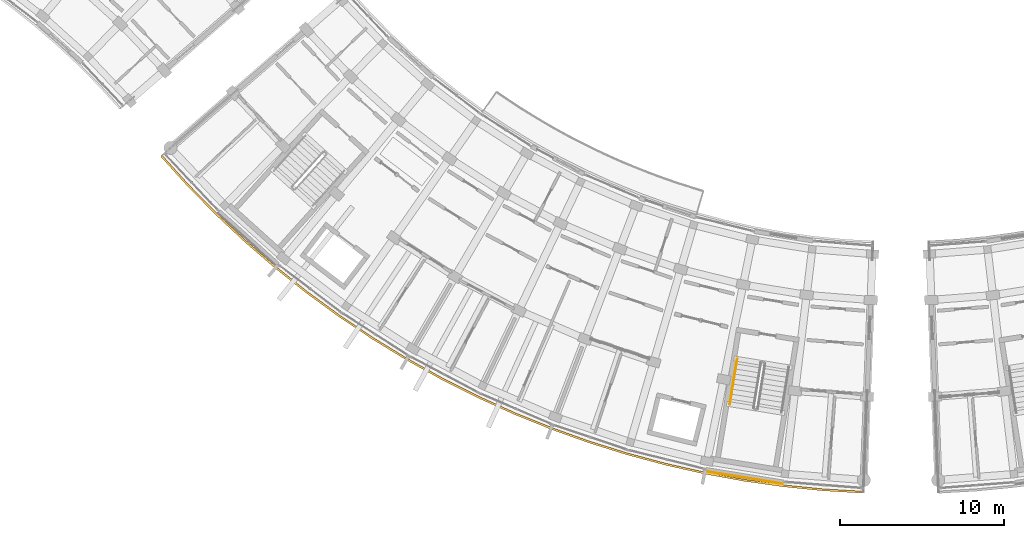
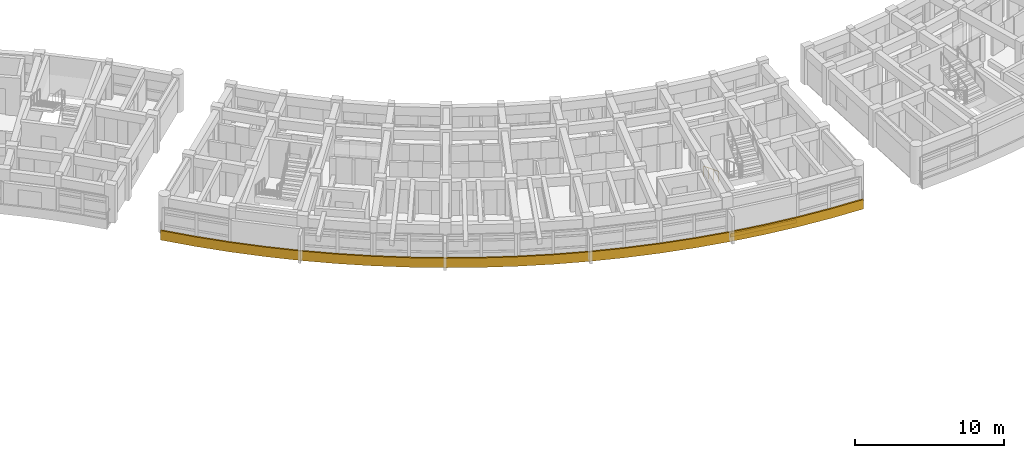
# One storey, part 48 of 56: 2 railings, 1 covering.
"""IFC4 building model written with IfcOpenShell, lengths in metres."""

from ifc_helpers import new_model, si_unit, direction, frame, origin, origin_2d, place, context, subcontext, project, spatial, polyline, rectangle, circle, outline, extrude, material, layer, layer_set, type_object, element, save


model = new_model("IFC4")

# Units and contexts
model_context = context("Model", 3, precision=1e-05, world=origin(), true_north=direction((0.0, 1.0)))
body_context = subcontext(model_context, "Body", "Model", "MODEL_VIEW")
ifc_project = project(units=[si_unit("LENGTHUNIT", "METRE"), si_unit("AREAUNIT", "SQUARE_METRE"), si_unit("VOLUMEUNIT", "CUBIC_METRE"), si_unit("PLANEANGLEUNIT", "RADIAN"), si_unit("MASSUNIT", "GRAM", prefix="KILO")], contexts=[model_context])

# Site, building, storey
site_placement = place(None, origin())
site = spatial("IfcSite", under=ifc_project, at=site_placement, CompositionType="ELEMENT")
building_placement = place(site_placement, origin())
building = spatial("IfcBuilding", under=site, at=building_placement, Name="Zimvara Arc Housing Community", CompositionType="ELEMENT")
storey_placement = place(building_placement, frame((0.0, 0.0, 11.199951171875)))
storey = spatial("IfcBuildingStorey", under=building, at=storey_placement, Name="L03", CompositionType="ELEMENT", Elevation=11.199951171875)

# Covering
ifc_material_1 = material(Name="Pale-Gold Anodised Aluminium Cladding", Category="aluminium")
ifc_layer = layer(ifc_material_1, 0.0400390625)
ifc_layer_set = layer_set([ifc_layer], Name="Pale-Gold Anodised Aluminium Cladding")
covering_type = type_object("IfcCoveringType", Name="CLD-GOLD-01", PredefinedType="CLADDING", material=ifc_layer_set)
covering_placement = place(storey_placement, frame((116.453369140625, 51.170654296875, 0.01025390625), z_axis=(0.0, 0.0, 1.0), x_axis=(0.987080395872, -0.160225753504, 0.0)))
element("IfcCovering", 1, at=covering_placement, inside=storey, type_object=covering_type, Name="cld:blkC:L03:out:b8", PredefinedType="CLADDING", context=body_context, shape_type="SweptSolid", body=[
    extrude(rectangle(XDim=4.748779296875, YDim=0.0400390625, at=origin_2d()), origin(), (0.0, 0.0, 1.0), 0.300048828125),
])

# Railings
ifc_material_2 = material(Name="Pale-Gold Anodised Aluminium AW-6063", Category="aluminium")
railing_type_1 = type_object("IfcRailingType", Name="RLG-FAS-780", PredefinedType="BALUSTRADE", material=ifc_material_2)
railing_1_placement = place(storey_placement, frame((0.0, 0.0, -0.219970703125)))
element("IfcRailing", 2, at=railing_1_placement, inside=storey, type_object=railing_type_1, Name="rlg:blkC:L03:gold_out", PredefinedType="BALUSTRADE", context=body_context, shape_type="SweptSolid", body=[
    extrude(outline(polyline([(80.93896484375, 70.706298828125), (82.5751953125, 68.900146484375), (84.28369140625, 67.162109375), (86.061767578125, 65.4951171875), (87.906494140625, 63.90234375), (89.814697265625, 62.38623046875), (91.783203125, 60.94921875), (93.80859375, 59.59375), (95.8876953125, 58.322021484375), (98.01708984375, 57.136474609375), (100.193115234375, 56.03857421875), (102.412109375, 55.03076171875), (104.67041015625, 54.114013671875), (106.96435546875, 53.29052734375), (109.289794921875, 52.561279296875), (111.643310546875, 51.927734375), (114.0205078125, 51.390625), (116.417724609375, 50.950927734375), (118.830810546875, 50.60986328125), (121.256103515625, 50.3671875), (123.68896484375, 50.223876953125), (123.693603515625, 50.343994140625), (121.265625, 50.48681640625), (118.84521484375, 50.728759765625), (116.43701171875, 51.069580078125), (114.04443359375, 51.508056640625), (111.672119140625, 52.044189453125), (109.3232421875, 52.676513671875), (107.00244140625, 53.404296875), (104.71337890625, 54.226318359375), (102.45947265625, 55.140869140625), (100.244873046875, 56.14697265625), (98.0732421875, 57.242431640625), (95.9482421875, 58.42578125), (93.873291015625, 59.69482421875), (91.851806640625, 61.04736328125), (89.887451171875, 62.481689453125), (87.98291015625, 63.99462890625), (86.14208984375, 65.58447265625), (84.367431640625, 67.247802734375), (82.662353515625, 68.982421875), (81.029541015625, 70.78515625), (80.93896484375, 70.706298828125)])), origin(), (0.0, 0.0, 1.0), 0.780029296875),
])
ifc_material_3 = material(Name="Anodised Aluminium AW-6063", Category="aluminium")
railing_type_2 = type_object("IfcRailingType", Name="RLG-HND-900", PredefinedType="HANDRAIL", material=ifc_material_3)
railing_2_placement = place(storey_placement, frame((116.0146484375, 58.391845703125, 0.155029296875)))
element("IfcRailing", 3, at=railing_2_placement, inside=storey, type_object=railing_type_2, Name="L03 ST-C2 stair handrail 1", PredefinedType="HANDRAIL", context=body_context, shape_type="SweptSolid", body=[
    extrude(circle(Radius=0.02392578125, at=origin_2d()), frame((0.0, 0.0, 0.8759765625), z_axis=(-0.143299288836, -0.882883275458, 0.447193957625), x_axis=(0.987082674257, -0.160211716742, 0.0)), (0.0, 0.0, 1.0), 3.119384765625),
    extrude(circle(Radius=0.02099609375, at=origin_2d()), origin(), (0.0, 0.0, 1.0), 0.851806640625),
    extrude(circle(Radius=0.02099609375, at=origin_2d()), frame((-0.14892578125, -0.91796875, 0.465087890625)), (0.0, 0.0, 1.0), 0.851806640625),
    extrude(circle(Radius=0.02099609375, at=origin_2d()), frame((-0.298095703125, -1.836181640625, 0.929931640625)), (0.0, 0.0, 1.0), 0.851806640625),
    extrude(circle(Radius=0.02099609375, at=origin_2d()), frame((-0.447021484375, -2.754150390625, 1.39501953125)), (0.0, 0.0, 1.0), 0.851806640625),
])

save(model, "model.ifc")
